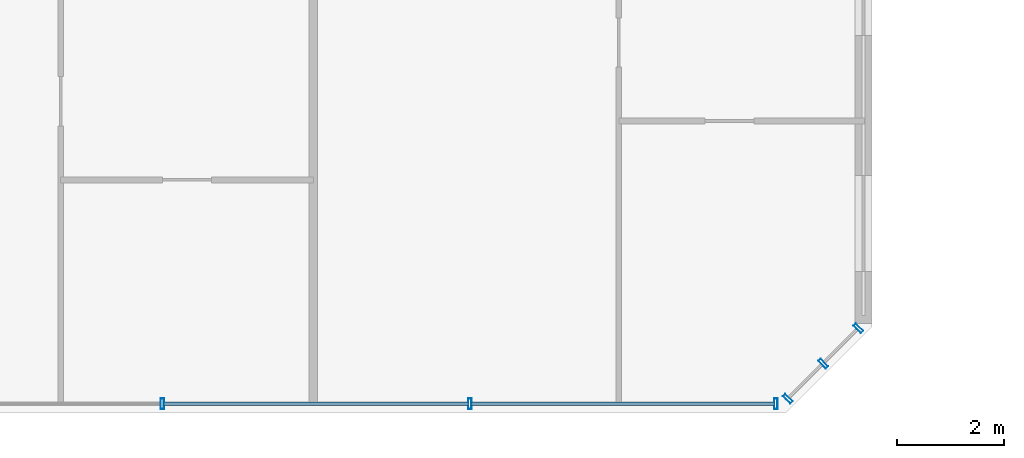
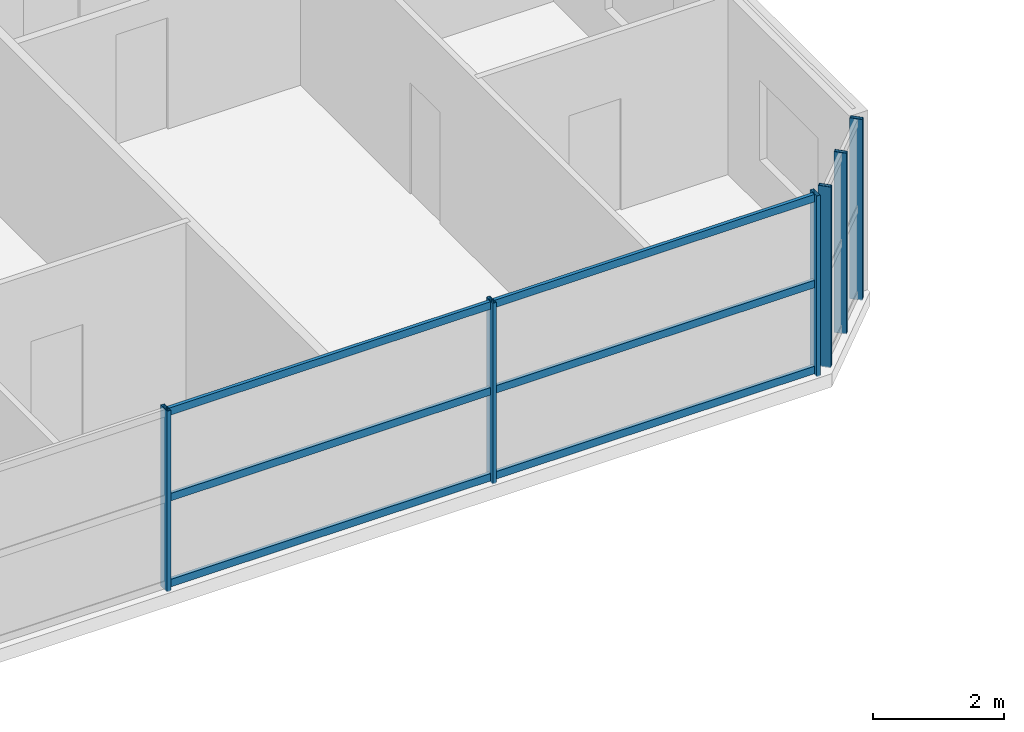
# One storey, part 6 of 21: 12 members, 2 elements without a shape of their own.
"""IFC4 building model written with IfcOpenShell, lengths in metres."""

from ifc_helpers import new_model, si_unit, direction, frame, origin, origin_2d, place, context, subcontext, project, spatial, hollow_rectangle, extrude, source, transform, mapped, material, material_profile, profile_set, type_object, element, aggregate, save


model = new_model("IFC4")

# Units and contexts
model_context = context("Model", 3, precision=1e-05, world=origin(), true_north=direction((0.0, 1.0)))
body_context = subcontext(model_context, "Body", "Model", "MODEL_VIEW")
ifc_project = project(units=[si_unit("LENGTHUNIT", "METRE"), si_unit("AREAUNIT", "SQUARE_METRE"), si_unit("VOLUMEUNIT", "CUBIC_METRE"), si_unit("PLANEANGLEUNIT", "RADIAN"), si_unit("MASSUNIT", "GRAM", prefix="KILO")], contexts=[model_context])

# Site, building, storey
site_placement = place(None, origin())
site = spatial("IfcSite", under=ifc_project, at=site_placement, CompositionType="ELEMENT")
building_placement = place(site_placement, origin())
building = spatial("IfcBuilding", under=site, at=building_placement, Name="Tlacorven Tower", CompositionType="ELEMENT")
storey_placement = place(building_placement, frame((0.0, 0.0, 119.699951171875)))
storey = spatial("IfcBuildingStorey", under=building, at=storey_placement, Name="L30", CompositionType="ELEMENT", Elevation=119.699951171875)

# Curtain wall, members
ifc_material_1 = material(Name="Dark solar low-E double glazing in aluminium frame", Category="aluminium")
curtain_wall_type = type_object("IfcCurtainWallType", Name="CW-TWR-MID", PredefinedType="USERDEFINED", material=ifc_material_1)
curtain_wall_1_placement = place(storey_placement, origin())
curtain_wall_1 = element("IfcCurtainWall", 1, at=curtain_wall_1_placement, inside=storey, type_object=curtain_wall_type, Name="L30 CW-TWR-MID Curtain Wall 148", ObjectType="UNITISED CURTAIN WALL", PredefinedType="USERDEFINED")
ifc_material_2 = material(Name="Aluminium 6063-T6 anodised", Category="aluminium")
ifc_material_profile_1 = material_profile(ifc_material_2, hollow_rectangle(XDim=0.06005859375, YDim=0.139892578125, WallThickness=0.00390625, at=origin_2d()), Name="ALU TRANSOM 60X140")
ifc_profile_set_1 = profile_set([ifc_material_profile_1], Name="Aluminium 6063-T6 anodised")
member_type_1 = type_object("IfcMemberType", Name="CWT-02", PredefinedType="USERDEFINED", material=ifc_profile_set_1)
shared_shape_1 = source(origin(), body_context, "Body", "SweptSolid", [
    extrude(hollow_rectangle(XDim=0.06005859375, YDim=0.139892578125, WallThickness=0.00390625, at=origin_2d()), origin(), (0.0, 0.0, 1.0), 5.682373046875),
])
member_1_placement = place(storey_placement, frame((50.580810546875, 1.9599609375, 0.070068359375), z_axis=(-1.0, 0.0, 0.0), x_axis=(0.0, -1.0, 0.0)))
member_1 = element("IfcMember", 2, at=member_1_placement, type_object=member_type_1, Name="CW-L30-148 Transom 1", ObjectType="TRANSOM", PredefinedType="USERDEFINED", context=body_context, shape_type="MappedRepresentation", body=[
    mapped(shared_shape_1, transform((0.0, 0.0, 0.0), scale=1.0)),
])
member_2_placement = place(storey_placement, frame((50.580810546875, 1.9599609375, 1.675048828125), z_axis=(-1.0, 0.0, 0.0), x_axis=(0.0, -1.0, 0.0)))
member_2 = element("IfcMember", 3, at=member_2_placement, type_object=member_type_1, Name="CW-L30-148 Transom 2", ObjectType="TRANSOM", PredefinedType="USERDEFINED", context=body_context, shape_type="MappedRepresentation", body=[
    mapped(shared_shape_1, transform((0.0, 0.0, 0.0), scale=1.0)),
])
member_3_placement = place(storey_placement, frame((50.580810546875, 1.9599609375, 3.280029296875), z_axis=(-1.0, 0.0, 0.0), x_axis=(0.0, -1.0, 0.0)))
member_3 = element("IfcMember", 4, at=member_3_placement, type_object=member_type_1, Name="CW-L30-148 Transom 3", ObjectType="TRANSOM", PredefinedType="USERDEFINED", context=body_context, shape_type="MappedRepresentation", body=[
    mapped(shared_shape_1, transform((0.0, 0.0, 0.0), scale=1.0)),
])
shared_shape_2 = source(origin(), body_context, "Body", "SweptSolid", [
    extrude(hollow_rectangle(XDim=0.06005859375, YDim=0.139892578125, WallThickness=0.00390625, at=origin_2d()), origin(), (0.0, 0.0, 1.0), 5.71484375),
])
member_4_placement = place(storey_placement, frame((44.857421875, 1.9599609375, 0.070068359375), z_axis=(-1.0, 0.0, 0.0), x_axis=(0.0, -1.0, 0.0)))
member_4 = element("IfcMember", 5, at=member_4_placement, type_object=member_type_1, Name="CW-L30-148 Transom 4", ObjectType="TRANSOM", PredefinedType="USERDEFINED", context=body_context, shape_type="MappedRepresentation", body=[
    mapped(shared_shape_2, transform((0.0, 0.0, 0.0), scale=1.0)),
])
member_5_placement = place(storey_placement, frame((44.857421875, 1.9599609375, 1.675048828125), z_axis=(-1.0, 0.0, 0.0), x_axis=(0.0, -1.0, 0.0)))
member_5 = element("IfcMember", 6, at=member_5_placement, type_object=member_type_1, Name="CW-L30-148 Transom 5", ObjectType="TRANSOM", PredefinedType="USERDEFINED", context=body_context, shape_type="MappedRepresentation", body=[
    mapped(shared_shape_2, transform((0.0, 0.0, 0.0), scale=1.0)),
])
member_6_placement = place(storey_placement, frame((44.857421875, 1.9599609375, 3.280029296875), z_axis=(-1.0, 0.0, 0.0), x_axis=(0.0, -1.0, 0.0)))
member_6 = element("IfcMember", 7, at=member_6_placement, type_object=member_type_1, Name="CW-L30-148 Transom 6", ObjectType="TRANSOM", PredefinedType="USERDEFINED", context=body_context, shape_type="MappedRepresentation", body=[
    mapped(shared_shape_2, transform((0.0, 0.0, 0.0), scale=1.0)),
])

curtain_wall_2_placement = place(storey_placement, origin())
curtain_wall_2 = element("IfcCurtainWall", 8, at=curtain_wall_2_placement, inside=storey, type_object=curtain_wall_type, Name="L30 CW-TWR-MID Curtain Wall 147", ObjectType="UNITISED CURTAIN WALL", PredefinedType="USERDEFINED")
ifc_material_profile_2 = material_profile(ifc_material_2, hollow_rectangle(XDim=0.06494140625, YDim=0.199951171875, WallThickness=0.00439453125, at=origin_2d()), Name="ALU MULLION 65X200")
ifc_profile_set_2 = profile_set([ifc_material_profile_2], Name="Aluminium 6063-T6 anodised")
member_type_2 = type_object("IfcMemberType", Name="CWM-02", PredefinedType="MULLION", material=ifc_profile_set_2)
shared_shape_3 = source(origin(), body_context, "Body", "SweptSolid", [
    extrude(hollow_rectangle(XDim=0.06494140625, YDim=0.199951171875, WallThickness=0.00439453125, at=origin_2d()), origin(), (0.0, 0.0, 1.0), 3.380126953125),
])
member_7_placement = place(storey_placement, frame((52.146240234375, 3.37255859375, -0.02001953125), z_axis=(0.0, 0.0, 1.0), x_axis=(-0.707106781187, -0.707106781187, 0.0)))
member_7 = element("IfcMember", 9, at=member_7_placement, type_object=member_type_2, Name="CW-L30-147 Mullion 1", PredefinedType="MULLION", context=body_context, shape_type="MappedRepresentation", body=[
    mapped(shared_shape_3, transform((0.0, 0.0, 0.0), scale=1.0)),
])
member_8_placement = place(storey_placement, frame((51.48681640625, 2.713134765625, -0.02001953125), z_axis=(0.0, 0.0, 1.0), x_axis=(-0.707106781187, -0.707106781187, 0.0)))
member_8 = element("IfcMember", 10, at=member_8_placement, type_object=member_type_2, Name="CW-L30-147 Mullion 2", PredefinedType="MULLION", context=body_context, shape_type="MappedRepresentation", body=[
    mapped(shared_shape_3, transform((0.0, 0.0, 0.0), scale=1.0)),
])
member_9_placement = place(storey_placement, frame((50.827392578125, 2.0537109375, -0.02001953125), z_axis=(0.0, 0.0, 1.0), x_axis=(-0.707106781187, -0.707106781187, 0.0)))
member_9 = element("IfcMember", 11, at=member_9_placement, type_object=member_type_2, Name="CW-L30-147 Mullion 3", PredefinedType="MULLION", context=body_context, shape_type="MappedRepresentation", body=[
    mapped(shared_shape_3, transform((0.0, 0.0, 0.0), scale=1.0)),
])
aggregate(curtain_wall_2, [member_7, member_8, member_9])

# Member
member_10_placement = place(storey_placement, frame((50.601318359375, 1.9599609375, -0.02001953125), z_axis=(0.0, 0.0, 1.0), x_axis=(-1.0, 0.0, 0.0)))
member_10 = element("IfcMember", 12, at=member_10_placement, type_object=member_type_2, Name="CW-L30-148 Mullion 1", PredefinedType="MULLION", context=body_context, shape_type="MappedRepresentation", body=[
    mapped(shared_shape_3, transform((0.0, 0.0, 0.0), scale=1.0)),
])

member_11_placement = place(storey_placement, frame((44.8779296875, 1.9599609375, -0.02001953125), z_axis=(0.0, 0.0, 1.0), x_axis=(-1.0, 0.0, 0.0)))
member_11 = element("IfcMember", 13, at=member_11_placement, type_object=member_type_2, Name="CW-L30-148 Mullion 2", PredefinedType="MULLION", context=body_context, shape_type="MappedRepresentation", body=[
    mapped(shared_shape_3, transform((0.0, 0.0, 0.0), scale=1.0)),
])

member_12_placement = place(storey_placement, frame((39.1220703125, 1.9599609375, -0.02001953125), z_axis=(0.0, 0.0, 1.0), x_axis=(-1.0, 0.0, 0.0)))
member_12 = element("IfcMember", 14, at=member_12_placement, type_object=member_type_2, Name="CW-L30-148 Mullion 3", PredefinedType="MULLION", context=body_context, shape_type="MappedRepresentation", body=[
    mapped(shared_shape_3, transform((0.0, 0.0, 0.0), scale=1.0)),
])

aggregate(curtain_wall_1, [member_10, member_11, member_12, member_1, member_2, member_3, member_4, member_5, member_6])

save(model, "model.ifc")
